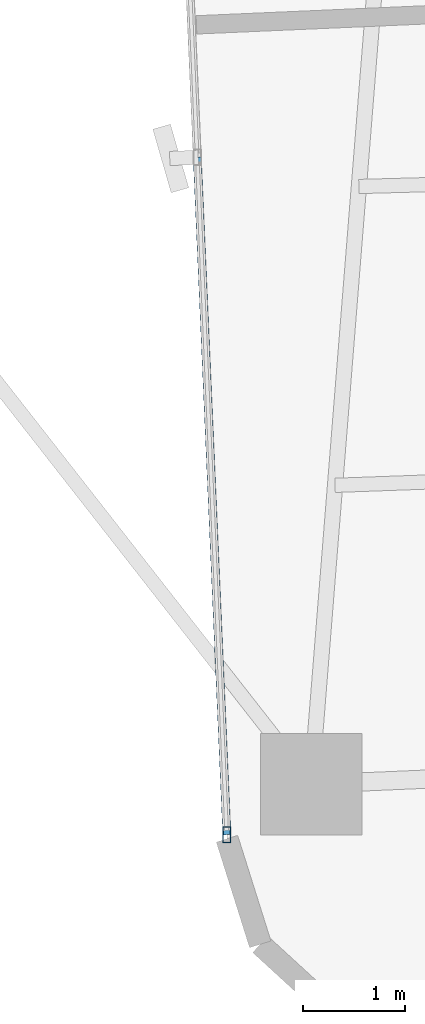
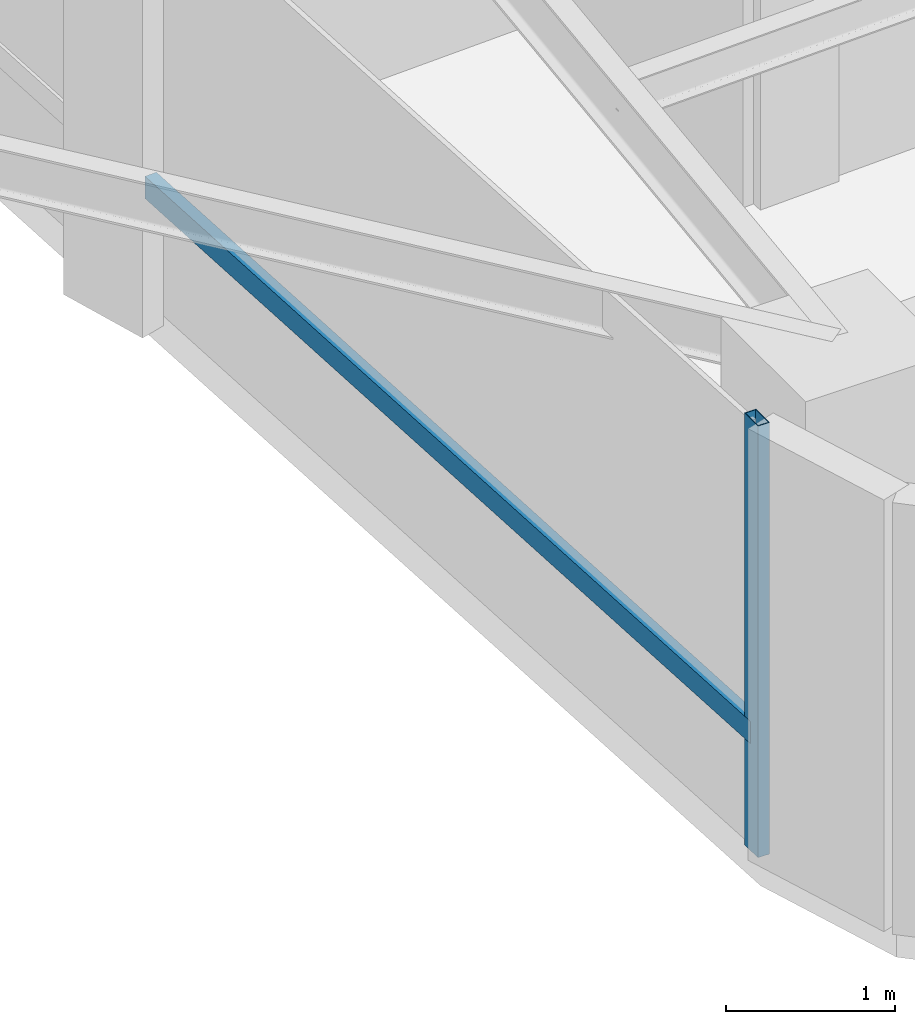
# One storey, part 2 of 26: 2 members, 1 element without a shape of its own.
"""IFC4 building model written with IfcOpenShell, lengths in metres."""

from ifc_helpers import new_model, si_unit, direction, frame, origin, origin_2d, place, context, subcontext, project, spatial, hollow_rectangle, extrude, source, transform, mapped, material, material_profile, profile_set, type_object, element, aggregate, save


model = new_model("IFC4")

# Units and contexts
model_context = context("Model", 3, precision=1e-05, world=origin(), true_north=direction((0.0, 1.0)))
body_context = subcontext(model_context, "Body", "Model", "MODEL_VIEW")
ifc_project = project(units=[si_unit("LENGTHUNIT", "METRE"), si_unit("AREAUNIT", "SQUARE_METRE"), si_unit("VOLUMEUNIT", "CUBIC_METRE"), si_unit("PLANEANGLEUNIT", "RADIAN"), si_unit("MASSUNIT", "GRAM", prefix="KILO")], contexts=[model_context])

# Site, building, storey
site_placement = place(None, origin())
site = spatial("IfcSite", under=ifc_project, at=site_placement, CompositionType="ELEMENT")
building_placement = place(site_placement, origin())
building = spatial("IfcBuilding", under=site, at=building_placement, Name="Sahyath Konkavel Grand Hotel", CompositionType="ELEMENT")
storey_placement = place(building_placement, frame((0.0, 0.0, 93.550048828125)))
storey = spatial("IfcBuildingStorey", under=building, at=storey_placement, Name="L25", CompositionType="ELEMENT", Elevation=93.550048828125)

# Curtain wall, members
ifc_material_1 = material(Name="Anodised Bronze Aluminium & Low-E Glazing", Category="aluminium")
curtain_wall_type = type_object("IfcCurtainWallType", Name="CW-ZONE2", PredefinedType="NOTDEFINED", material=ifc_material_1)
curtain_wall_placement = place(storey_placement, origin())
curtain_wall = element("IfcCurtainWall", 1, at=curtain_wall_placement, inside=storey, type_object=curtain_wall_type, Name="L25 Unitised Curtain Wall F24", PredefinedType="NOTDEFINED")
ifc_material_2 = material(Name="Anodised Bronze Aluminium", Category="aluminium")
ifc_material_profile_1 = material_profile(ifc_material_2, hollow_rectangle(XDim=0.080078125, YDim=0.159912109375, WallThickness=0.006103515625, at=origin_2d()), Name="RHS 160x80x6")
ifc_profile_set_1 = profile_set([ifc_material_profile_1], Name="Anodised Bronze Aluminium")
member_type_1 = type_object("IfcMemberType", Name="CW-MUL-160", PredefinedType="MULLION", material=ifc_profile_set_1)
shared_shape_1 = source(origin(), body_context, "Body", "SweptSolid", [
    extrude(hollow_rectangle(XDim=0.080078125, YDim=0.159912109375, WallThickness=0.006103515625, at=origin_2d()), origin(), (0.0, 0.0, 1.0), 3.10986328125),
])
member_1_placement = place(storey_placement, frame((-5.605224609375, -22.92626953125, 0.0), z_axis=(0.0, 0.0, 1.0), x_axis=(1.0, 0.0, 0.0)))
member_1 = element("IfcMember", 2, at=member_1_placement, type_object=member_type_1, Name="L25 Curtain Wall Mullion F24-2", PredefinedType="MULLION", context=body_context, shape_type="MappedRepresentation", body=[
    mapped(shared_shape_1, transform((0.0, 0.0, 0.0), scale=1.0)),
])
ifc_material_profile_2 = material_profile(ifc_material_2, hollow_rectangle(XDim=0.080078125, YDim=0.159912109375, WallThickness=0.006103515625, at=origin_2d()), Name="RHS 160x80x6")
ifc_profile_set_2 = profile_set([ifc_material_profile_2], Name="Anodised Bronze Aluminium")
member_type_2 = type_object("IfcMemberType", Name="CW-TRN-160", PredefinedType="USERDEFINED", material=ifc_profile_set_2)
shared_shape_2 = source(origin(), body_context, "Body", "SweptSolid", [
    extrude(hollow_rectangle(XDim=0.080078125, YDim=0.159912109375, WallThickness=0.006103515625, at=origin_2d()), origin(), (0.0, 0.0, 1.0), 6.659912109375),
])
member_2_placement = place(storey_placement, frame((-5.895751953125, -16.272705078125, 0.849853515625), z_axis=(0.043623350741, -0.999048048529, 0.0), x_axis=(0.999048048529, 0.043623350741, 0.0)))
member_2 = element("IfcMember", 3, at=member_2_placement, type_object=member_type_2, Name="L25 Curtain Wall Transom F24-1-spandrel", ObjectType="TRANSOM", PredefinedType="USERDEFINED", context=body_context, shape_type="MappedRepresentation", body=[
    mapped(shared_shape_2, transform((0.0, 0.0, 0.0), scale=1.0)),
])
aggregate(curtain_wall, [member_1, member_2])

save(model, "model.ifc")
